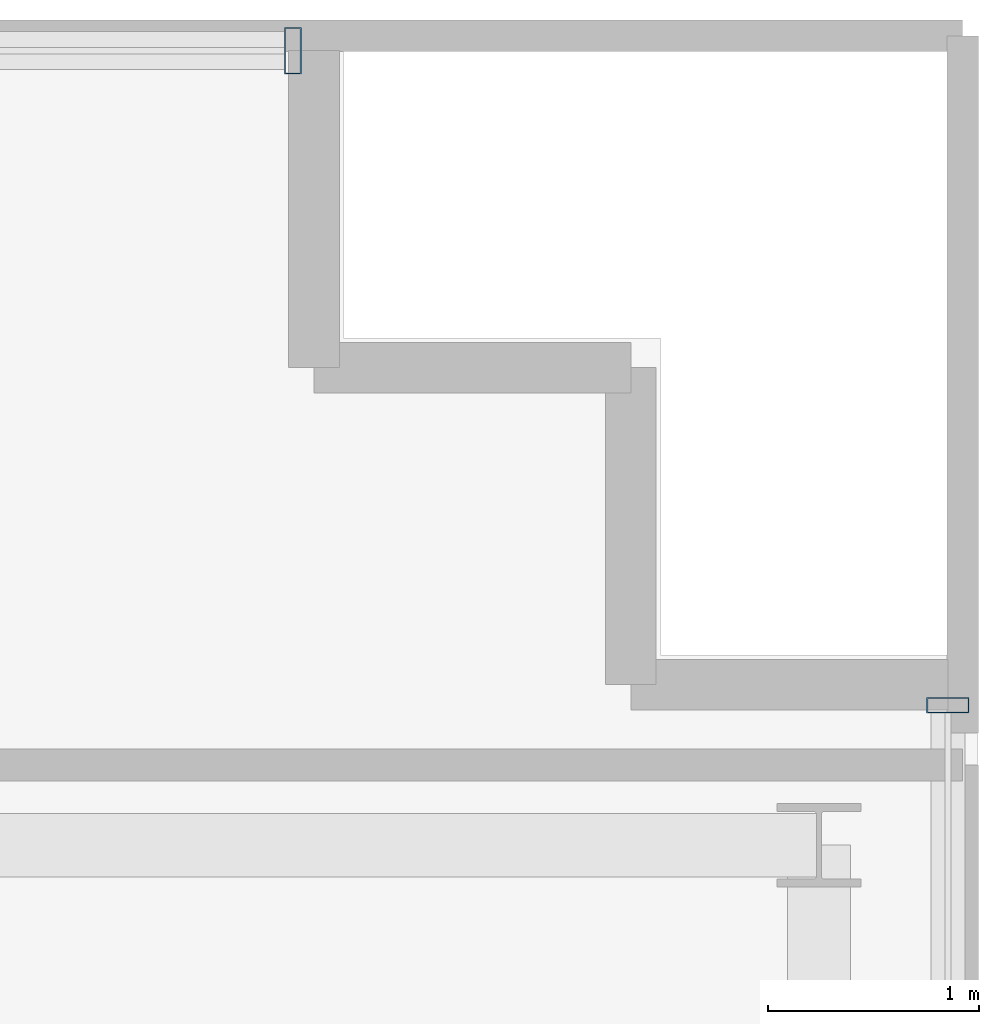
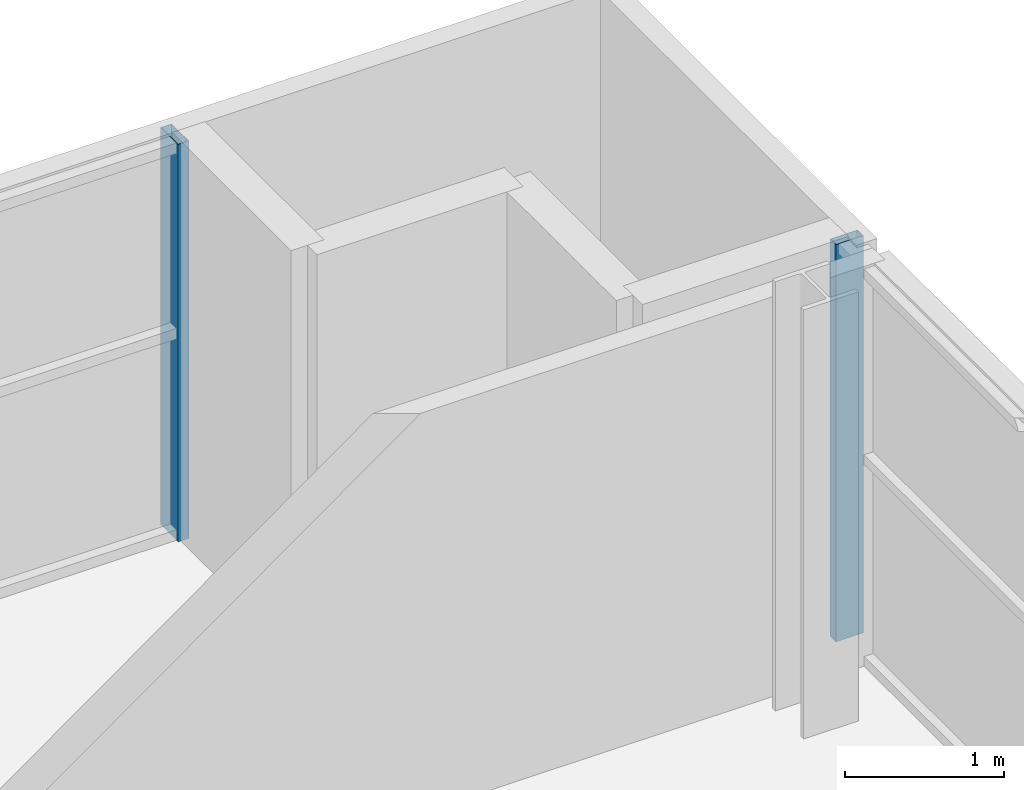
# One storey, part 13 of 22: 2 members, 2 elements without a shape of their own.
"""IFC4 building model written with IfcOpenShell, lengths in metres."""

from ifc_helpers import new_model, si_unit, direction, frame, origin, origin_2d, place, context, subcontext, project, spatial, hollow_rectangle, extrude, source, transform, mapped, material, layer, layer_set, material_profile, profile_set, type_object, element, aggregate, save


model = new_model("IFC4")

# Units and contexts
model_context = context("Model", 3, precision=1e-05, world=origin(), true_north=direction((0.0, 1.0)))
body_context = subcontext(model_context, "Body", "Model", "MODEL_VIEW")
ifc_project = project(units=[si_unit("LENGTHUNIT", "METRE"), si_unit("AREAUNIT", "SQUARE_METRE"), si_unit("VOLUMEUNIT", "CUBIC_METRE"), si_unit("PLANEANGLEUNIT", "RADIAN"), si_unit("MASSUNIT", "GRAM", prefix="KILO")], contexts=[model_context])

# Site, building, storey
site_placement = place(None, origin())
site = spatial("IfcSite", under=ifc_project, at=site_placement, CompositionType="ELEMENT")
building_placement = place(site_placement, origin())
building = spatial("IfcBuilding", under=site, at=building_placement, Name="Zarnakvel Exchange Tower", CompositionType="ELEMENT")
storey_placement = place(building_placement, frame((0.0, 0.0, 179.199951171875)))
storey = spatial("IfcBuildingStorey", under=building, at=storey_placement, Name="L50", CompositionType="ELEMENT", Elevation=179.199951171875)

# Curtain wall, member
ifc_material = material(Name="Architectural Bronze Anodised Aluminium", Category="aluminium")
ifc_layer_1 = layer(ifc_material, 0.199951171875)
ifc_layer_set_1 = layer_set([ifc_layer_1], Name="Architectural Bronze Anodised Aluminium")
curtain_wall_type_1 = type_object("IfcCurtainWallType", Name="CW-04", PredefinedType="NOTDEFINED", material=ifc_layer_set_1)
curtain_wall_1_placement = place(storey_placement, origin())
curtain_wall_1 = element("IfcCurtainWall", 1, at=curtain_wall_1_placement, inside=storey, type_object=curtain_wall_type_1, Name="L50 Curtain Wall CW-L50-E1 (CW-04)", PredefinedType="NOTDEFINED")
ifc_material_profile_1 = material_profile(ifc_material, hollow_rectangle(XDim=0.199951171875, YDim=0.074951171875, WallThickness=0.0048828125, at=origin_2d()))
ifc_profile_set_1 = profile_set([ifc_material_profile_1], Name="Architectural Bronze Anodised Aluminium")
member_type_1 = type_object("IfcMemberType", Name="CWM-04", PredefinedType="MULLION", material=ifc_profile_set_1)
shared_shape_1 = source(origin(), body_context, "Body", "SweptSolid", [
    extrude(hollow_rectangle(XDim=0.199951171875, YDim=0.074951171875, WallThickness=0.0048828125, at=origin_2d()), origin(), (0.0, 0.0, 1.0), 3.054931640625),
])
member_1_placement = place(storey_placement, frame((26.4599609375, 14.16259765625, 0.0), z_axis=(0.0, 0.0, 1.0), x_axis=(-1.0, 0.0, 0.0)))
member_1 = element("IfcMember", 2, at=member_1_placement, type_object=member_type_1, Name="CW-04 mullion 5", PredefinedType="MULLION", context=body_context, shape_type="MappedRepresentation", body=[
    mapped(shared_shape_1, transform((0.0, 0.0, 0.0), x_axis=(1.0, 0.0, 0.0), y_axis=(0.0, 1.0, 0.0), z_axis=(0.0, 0.0, 1.0), scale=1.0)),
])
aggregate(curtain_wall_1, [member_1])

ifc_layer_2 = layer(ifc_material, 0.219970703125)
ifc_layer_set_2 = layer_set([ifc_layer_2], Name="Architectural Bronze Anodised Aluminium")
curtain_wall_type_2 = type_object("IfcCurtainWallType", Name="CW-03", PredefinedType="NOTDEFINED", material=ifc_layer_set_2)
curtain_wall_2_placement = place(storey_placement, origin())
curtain_wall_2 = element("IfcCurtainWall", 3, at=curtain_wall_2_placement, inside=storey, type_object=curtain_wall_type_2, Name="L50 Curtain Wall CW-L50-N1 (CW-03)", PredefinedType="NOTDEFINED")
ifc_material_profile_2 = material_profile(ifc_material, hollow_rectangle(XDim=0.219970703125, YDim=0.080078125, WallThickness=0.0048828125, at=origin_2d()))
ifc_profile_set_2 = profile_set([ifc_material_profile_2], Name="Architectural Bronze Anodised Aluminium")
member_type_2 = type_object("IfcMemberType", Name="CWM-03", PredefinedType="MULLION", material=ifc_profile_set_2)
shared_shape_2 = source(origin(), body_context, "Body", "SweptSolid", [
    extrude(hollow_rectangle(XDim=0.219970703125, YDim=0.080078125, WallThickness=0.0048828125, at=origin_2d()), origin(), (0.0, 0.0, 1.0), 3.054931640625),
])
member_2_placement = place(storey_placement, frame((23.360107421875, 17.260009765625, 0.0), z_axis=(0.0, 0.0, 1.0), x_axis=(0.0, 1.0, 0.0)))
member_2 = element("IfcMember", 4, at=member_2_placement, type_object=member_type_2, Name="CW-03 mullion 7", PredefinedType="MULLION", context=body_context, shape_type="MappedRepresentation", body=[
    mapped(shared_shape_2, transform((0.0, 0.0, 0.0), x_axis=(1.0, 0.0, 0.0), y_axis=(0.0, 1.0, 0.0), z_axis=(0.0, 0.0, 1.0), scale=1.0)),
])
aggregate(curtain_wall_2, [member_2])

save(model, "model.ifc")
